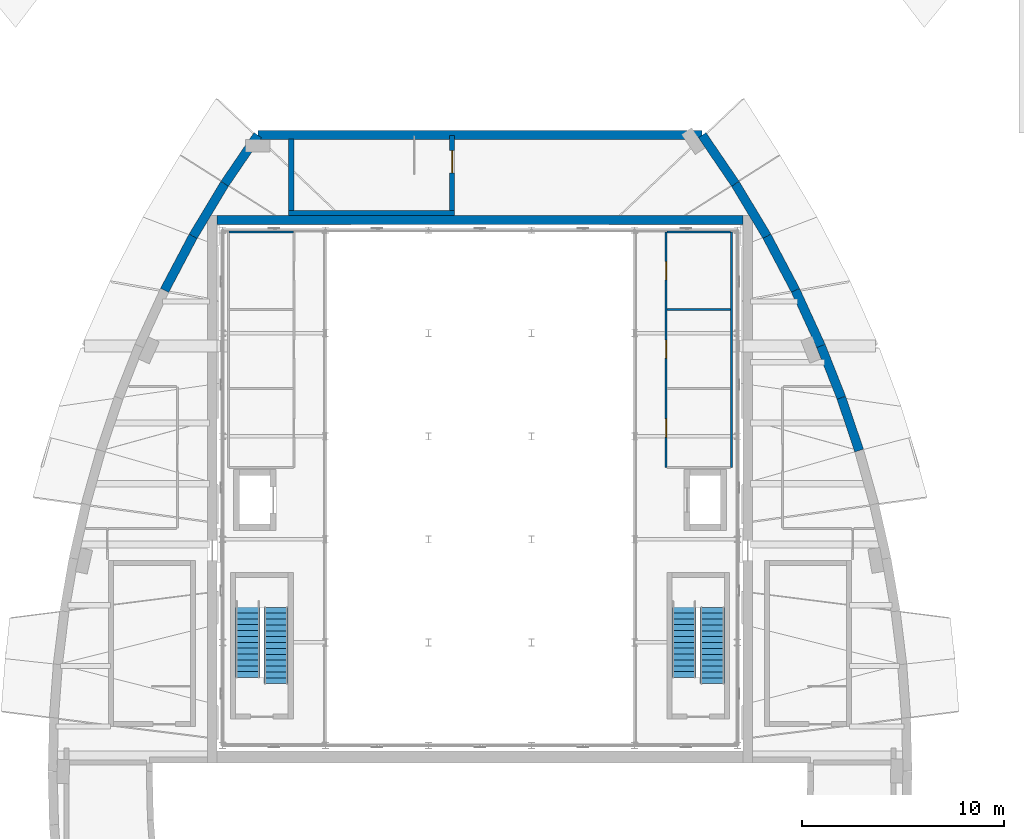
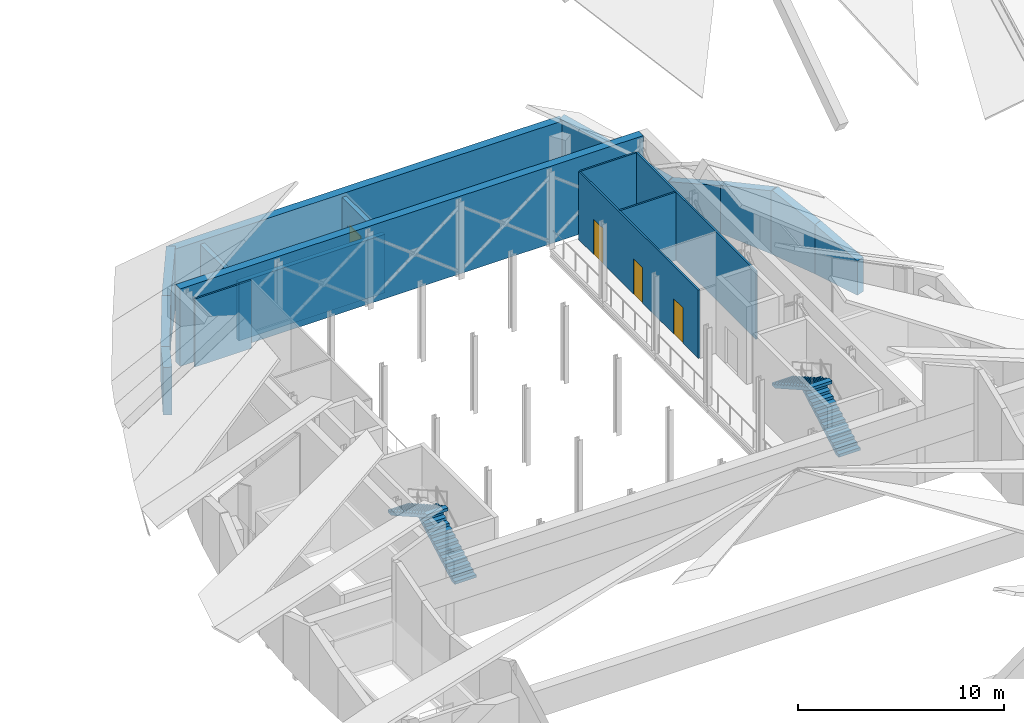
# One storey, part 16 of 17: 19 walls, 4 doors, 4 stair flights, 4 openings, 2 elements without a shape of their own.
"""IFC4 building model written with IfcOpenShell, lengths in metres."""

from ifc_helpers import new_model, si_unit, direction, frame, frame_2d, origin, place, context, subcontext, project, spatial, polyline, rectangle, outline, extrude, material, layer, layer_set, type_object, element, fill, aggregate, save


model = new_model("IFC4")

# Units and contexts
model_context = context("Model", 3, precision=1e-05, world=origin(), true_north=direction((0.0, 1.0)))
body_context = subcontext(model_context, "Body", "Model", "MODEL_VIEW")
ifc_project = project(units=[si_unit("LENGTHUNIT", "METRE"), si_unit("AREAUNIT", "SQUARE_METRE"), si_unit("VOLUMEUNIT", "CUBIC_METRE"), si_unit("PLANEANGLEUNIT", "RADIAN"), si_unit("MASSUNIT", "GRAM", prefix="KILO")], contexts=[model_context])

# Site, building, storey
site_placement = place(None, origin())
site = spatial("IfcSite", under=ifc_project, at=site_placement, CompositionType="ELEMENT")
building_placement = place(site_placement, origin())
building = spatial("IfcBuilding", under=site, at=building_placement, Name="Tide Square Theatres", CompositionType="ELEMENT")
storey_placement = place(building_placement, frame((0.0, 0.0, 14.800048828125)))
storey = spatial("IfcBuildingStorey", under=building, at=storey_placement, Name="L03", CompositionType="ELEMENT", Elevation=14.800048828125)

# Walls
ifc_material_1 = material(Name="Gypsum board on steel studs", Category="steel")
ifc_layer_1 = layer(ifc_material_1, 0.10009765625)
ifc_layer_set_1 = layer_set([ifc_layer_1], Name="Gypsum board on steel studs")
wall_type_1 = type_object("IfcWallType", Name="Partition 100 thick", PredefinedType="PARTITIONING", material=ifc_layer_set_1)
wall_1_placement = place(storey_placement, frame((71.60595703125, 81.64404296875, 0.0), z_axis=(0.0, 0.0, 1.0), x_axis=(1.0, 0.0, 0.0)))
element("IfcWall", 1, at=wall_1_placement, inside=storey, type_object=wall_type_1, Name="Partition", PredefinedType="PARTITIONING", context=body_context, shape_type="SweptSolid", body=[
    extrude(rectangle(XDim=3.169921875, YDim=0.10009765625, at=frame_2d((1.5849609375, 0.0))), origin(), (0.0, 0.0, 1.0), 4.0400390625),
])
wall_2_placement = place(storey_placement, frame((96.424072265625, 70.0, 0.0), z_axis=(0.0, 0.0, 1.0), x_axis=(0.0, 1.0, 0.0)))
element("IfcWall", 2, at=wall_2_placement, inside=storey, type_object=wall_type_1, Name="Partition", PredefinedType="PARTITIONING", context=body_context, shape_type="SweptSolid", body=[
    extrude(rectangle(XDim=11.64404296875, YDim=0.10009765625, at=frame_2d((5.822021484375, 0.0))), origin(), (0.0, 0.0, 1.0), 4.0400390625),
])

# Wall, openings, doors
wall_3_placement = place(storey_placement, frame((93.194091796875, 70.0, 0.0), z_axis=(0.0, 0.0, 1.0), x_axis=(0.0, 1.0, 0.0)))
wall_3 = element("IfcWall", 3, at=wall_3_placement, inside=storey, type_object=wall_type_1, Name="Partition", PredefinedType="PARTITIONING", context=body_context, shape_type="SweptSolid", body=[
    extrude(rectangle(XDim=11.64404296875, YDim=0.10009765625, at=frame_2d((5.822021484375, 0.0))), origin(), (0.0, 0.0, 1.0), 4.0400390625),
])
opening_1_placement = place(wall_3_placement, frame((1.5, 0.0, 0.0)))
opening_1 = element("IfcOpeningElement", 4, at=opening_1_placement, cuts=wall_3, Name="Opening T03-06", PredefinedType="OPENING", context=body_context, shape_type="SweptSolid", body=[
    extrude(rectangle(XDim=0.89990234375, YDim=2.10009765625, at=frame_2d((0.449951171875, 1.050048828125))), frame((0.0, 0.06005859375, 0.0), z_axis=(0.0, -1.0, 0.0), x_axis=(1.0, 0.0, 0.0)), (0.0, 0.0, 1.0), 0.1201171875),
])
opening_2_placement = place(wall_3_placement, frame((5.39990234375, 0.0, 0.0)))
opening_2 = element("IfcOpeningElement", 5, at=opening_2_placement, cuts=wall_3, Name="Opening T03-07", PredefinedType="OPENING", context=body_context, shape_type="SweptSolid", body=[
    extrude(rectangle(XDim=0.89990234375, YDim=2.10009765625, at=frame_2d((0.449951171875, 1.050048828125))), frame((0.0, 0.06005859375, 0.0), z_axis=(0.0, -1.0, 0.0), x_axis=(1.0, 0.0, 0.0)), (0.0, 0.0, 1.0), 0.1201171875),
])
opening_3_placement = place(wall_3_placement, frame((9.27197265625, 0.0, 0.0)))
opening_3 = element("IfcOpeningElement", 6, at=opening_3_placement, cuts=wall_3, Name="Opening T03-08", PredefinedType="OPENING", context=body_context, shape_type="SweptSolid", body=[
    extrude(rectangle(XDim=0.89990234375, YDim=2.10009765625, at=frame_2d((0.449951171875, 1.050048828125))), frame((0.0, 0.06005859375, 0.0), z_axis=(0.0, -1.0, 0.0), x_axis=(1.0, 0.0, 0.0)), (0.0, 0.0, 1.0), 0.1201171875),
])
ifc_material_2 = material(Name="Hardwood timber", Category="wood")
door_type_1 = type_object("IfcDoorType", Name="Door 900 x 2100 single leaf", OperationType="NOTDEFINED", PredefinedType="DOOR", material=ifc_material_2)
door_1_placement = place(opening_1_placement, frame((0.89990234375, 0.0, 0.0), z_axis=(0.0, 0.0, 1.0), x_axis=(-1.0, 0.0, 0.0)))
door_1 = element("IfcDoor", 7, at=door_1_placement, inside=storey, type_object=door_type_1, Name="Winch Control Room door", OperationType="SINGLE_SWING_LEFT", OverallHeight=2.10009765625, OverallWidth=0.89990234375, PredefinedType="DOOR", context=body_context, shape_type="SweptSolid", body=[
    extrude(rectangle(XDim=0.89990234375, YDim=2.10009765625, at=frame_2d((0.449951171875, 1.050048828125))), frame((0.0, 0.02490234375, 0.0), z_axis=(0.0, -1.0, 0.0), x_axis=(1.0, 0.0, 0.0)), (0.0, 0.0, 1.0), 0.050048828125),
])
fill(opening_1, door_1)
door_2_placement = place(opening_2_placement, frame((0.89990234375, 0.0, 0.0), z_axis=(0.0, 0.0, 1.0), x_axis=(-1.0, 0.0, 0.0)))
door_2 = element("IfcDoor", 8, at=door_2_placement, inside=storey, type_object=door_type_1, Name="Prop Preparation Room door", OperationType="SINGLE_SWING_LEFT", OverallHeight=2.10009765625, OverallWidth=0.89990234375, PredefinedType="DOOR", context=body_context, shape_type="SweptSolid", body=[
    extrude(rectangle(XDim=0.89990234375, YDim=2.10009765625, at=frame_2d((0.449951171875, 1.050048828125))), frame((0.0, 0.02490234375, 0.0), z_axis=(0.0, -1.0, 0.0), x_axis=(1.0, 0.0, 0.0)), (0.0, 0.0, 1.0), 0.050048828125),
])
fill(opening_2, door_2)
door_3_placement = place(opening_3_placement, frame((0.89990234375, 0.0, 0.0), z_axis=(0.0, 0.0, 1.0), x_axis=(-1.0, 0.0, 0.0)))
door_3 = element("IfcDoor", 9, at=door_3_placement, inside=storey, type_object=door_type_1, Name="Flymen's Locker Room door", OperationType="SINGLE_SWING_LEFT", OverallHeight=2.10009765625, OverallWidth=0.89990234375, PredefinedType="DOOR", context=body_context, shape_type="SweptSolid", body=[
    extrude(rectangle(XDim=0.89990234375, YDim=2.10009765625, at=frame_2d((0.449951171875, 1.050048828125))), frame((0.0, 0.02490234375, 0.0), z_axis=(0.0, -1.0, 0.0), x_axis=(1.0, 0.0, 0.0)), (0.0, 0.0, 1.0), 0.050048828125),
])
fill(opening_3, door_3)

# Walls
for number, where, z_axis, x_axis, name in (
    (10, (96.384033203125, 77.800048828125, 0.0), (0.0, 0.0, 1.0), (-1.0, 0.0, 0.0), "Partition"),
    (11, (96.384033203125, 81.64404296875, 0.0), (0.0, 0.0, 1.0), (-1.0, 0.0, 0.0), "Partition"),
):
    element("IfcWall", number, at=place(storey_placement, frame(where, z_axis=z_axis, x_axis=x_axis)), inside=storey, type_object=wall_type_1, Name=name, PredefinedType="PARTITIONING", context=body_context, shape_type="SweptSolid", body=[
        extrude(rectangle(XDim=3.159912109375, YDim=0.10009765625, at=frame_2d((1.580078125, 0.0))), origin(), (0.0, 0.0, 1.0), 4.0400390625),
    ])
ifc_material_3 = material(Name="Concrete C40", Category="concrete")
ifc_layer_2 = layer(ifc_material_3, 0.449951171875)
ifc_layer_set_2 = layer_set([ifc_layer_2], Name="Concrete C40")
wall_type_2 = type_object("IfcWallType", Name="RC curved wall 450 thick", PredefinedType="SOLIDWALL", material=ifc_layer_set_2)
wall_4_placement = place(storey_placement, frame((102.724609375, 70.838134765625, 0.0), z_axis=(0.0, 0.0, 1.0), x_axis=(-0.318887614688, 0.947792534893, 0.0)))
element("IfcWall", 12, at=wall_4_placement, inside=storey, type_object=wall_type_2, Name="Main Theatre perimeter wall", PredefinedType="SOLIDWALL", context=body_context, shape_type="SweptSolid", body=[
    extrude(outline(polyline([(0.0, 0.0), (2.75244140625, 0.0), (2.752197265625, 2.927734375), (2.638916015625, 2.89404296875), (0.15185546875, 2.080810546875), (0.0, 2.031005859375), (0.0, 0.0)])), frame((0.0, 0.22509765625, 0.0), z_axis=(0.0, -1.0, 0.0), x_axis=(1.0, 0.0, 0.0)), (0.0, 0.0, 1.0), 0.449951171875),
])
wall_5_placement = place(storey_placement, frame((101.846923828125, 73.44677734375, 0.0), z_axis=(0.0, 0.0, 1.0), x_axis=(-0.366920100653, 0.930252460215, 0.0)))
element("IfcWall", 13, at=wall_5_placement, inside=storey, type_object=wall_type_2, Name="Main Theatre perimeter wall", PredefinedType="SOLIDWALL", context=body_context, shape_type="SweptSolid", body=[
    extrude(outline(polyline([(0.0, 0.0), (2.751953125, 0.0), (2.751953125, 3.74169921875), (2.73583984375, 3.747314453125), (2.647216796875, 3.797119140625), (2.558349609375, 3.76806640625), (0.12841796875, 2.973388671875), (0.0, 2.931396484375), (0.0, 0.0)])), frame((0.0, 0.22509765625, 0.0), z_axis=(0.0, -1.0, 0.0), x_axis=(1.0, 0.0, 0.0)), (0.0, 0.0, 1.0), 0.449951171875),
])
wall_6_placement = place(storey_placement, frame((100.837158203125, 76.0068359375, 0.0), z_axis=(0.0, 0.0, 1.0), x_axis=(-0.416407051835, 0.909178292296, 0.0)))
element("IfcWall", 14, at=wall_6_placement, inside=storey, type_object=wall_type_2, Name="Main Theatre perimeter wall", PredefinedType="SOLIDWALL", context=body_context, shape_type="SweptSolid", body=[
    extrude(outline(polyline([(0.0, 0.0), (3.021240234375, 0.0), (3.021240234375, 2.8310546875), (2.962646484375, 2.85546875), (0.21044921875, 3.67529296875), (0.107421875, 3.7060546875), (0.0, 3.73779296875), (0.0, 0.0)])), frame((0.0, 0.22509765625, 0.0), z_axis=(0.0, -1.0, 0.0), x_axis=(1.0, 0.0, 0.0)), (0.0, 0.0, 1.0), 0.449951171875),
])
wall_7_placement = place(storey_placement, frame((99.5791015625, 78.753662109375, 0.0), z_axis=(0.0, 0.0, 1.0), x_axis=(-0.466728769487, 0.884400506407, 0.0)))
element("IfcWall", 15, at=wall_7_placement, inside=storey, type_object=wall_type_2, Name="Main Theatre perimeter wall", PredefinedType="SOLIDWALL", context=body_context, shape_type="SweptSolid", body=[
    extrude(outline(polyline([(0.0, 0.0), (3.020751953125, 0.0), (3.02099609375, 1.9521484375), (2.993896484375, 1.9453125), (0.072265625, 2.805419921875), (0.0, 2.826904296875), (0.0, 0.0)])), frame((0.0, 0.22509765625, 0.0), z_axis=(0.0, -1.0, 0.0), x_axis=(1.0, 0.0, 0.0)), (0.0, 0.0, 1.0), 0.449951171875),
])
wall_8_placement = place(storey_placement, frame((98.169189453125, 81.42529296875, 0.0), z_axis=(0.0, 0.0, 1.0), x_axis=(-0.515636119523, 0.856807675177, 0.0)))
element("IfcWall", 16, at=wall_8_placement, inside=storey, type_object=wall_type_2, Name="Main Theatre perimeter wall", PredefinedType="SOLIDWALL", context=body_context, shape_type="SweptSolid", body=[
    extrude(outline(polyline([(0.0, 0.0), (3.021240234375, 0.0), (3.02099609375, 2.855712890625), (0.0, 1.955810546875), (0.0, 0.0)])), frame((0.0, 0.22509765625, 0.0), z_axis=(0.0, -1.0, 0.0), x_axis=(1.0, 0.0, 0.0)), (0.0, 0.0, 1.0), 0.449951171875),
])
wall_9_placement = place(storey_placement, frame((96.611328125, 84.013916015625, 0.0), z_axis=(0.0, 0.0, 1.0), x_axis=(-0.5629642644, 0.826481238147, 0.0)))
element("IfcWall", 17, at=wall_9_placement, inside=storey, type_object=wall_type_2, Name="Main Theatre perimeter wall", PredefinedType="SOLIDWALL", context=body_context, shape_type="SweptSolid", body=[
    extrude(outline(polyline([(0.0, 0.0), (2.908203125, 0.0), (2.908203125, 3.760986328125), (2.832763671875, 3.737548828125), (2.759765625, 3.715087890625), (0.0, 2.861083984375), (0.0, 0.0)])), frame((0.0, 0.22509765625, 0.0), z_axis=(0.0, -1.0, 0.0), x_axis=(1.0, 0.0, 0.0)), (0.0, 0.0, 1.0), 0.449951171875),
])
wall_10_placement = place(storey_placement, frame((94.97412109375, 86.41748046875, 0.0), z_axis=(0.0, 0.0, 1.0), x_axis=(-1.0, 0.0, 0.0)))
element("IfcWall", 18, at=wall_10_placement, inside=storey, type_object=wall_type_2, Name="Main Theatre perimeter wall", PredefinedType="SOLIDWALL", context=body_context, shape_type="SweptSolid", body=[
    extrude(outline(polyline([(0.0, 0.0), (21.9482421875, 0.0), (21.947998046875, 3.67138671875), (21.87158203125, 3.67138671875), (21.787109375, 3.67138671875), (21.550048828125, 3.67138671875), (0.39794921875, 3.67138671875), (0.16064453125, 3.67138671875), (0.076416015625, 3.67138671875), (0.0, 3.67138671875), (0.0, 0.0)])), frame((0.0, 0.22509765625, 0.0), z_axis=(0.0, -1.0, 0.0), x_axis=(1.0, 0.0, 0.0)), (0.0, 0.0, 1.0), 0.449951171875),
])
wall_11_placement = place(storey_placement, frame((73.02587890625, 86.41748046875, 0.0), z_axis=(0.0, 0.0, 1.0), x_axis=(-0.5629642644, -0.826481238147, 0.0)))
element("IfcWall", 19, at=wall_11_placement, inside=storey, type_object=wall_type_2, Name="Main Theatre perimeter wall", PredefinedType="SOLIDWALL", context=body_context, shape_type="SweptSolid", body=[
    extrude(outline(polyline([(0.0, 0.0), (2.908203125, 0.0), (2.908203125, 2.861083984375), (0.148681640625, 3.715087890625), (0.075439453125, 3.737548828125), (0.0, 3.760986328125), (0.0, 0.0)])), frame((0.0, 0.22509765625, 0.0), z_axis=(0.0, -1.0, 0.0), x_axis=(1.0, 0.0, 0.0)), (0.0, 0.0, 1.0), 0.449951171875),
])
wall_12_placement = place(storey_placement, frame((71.388671875, 84.013916015625, 0.0), z_axis=(0.0, 0.0, 1.0), x_axis=(-0.515636119523, -0.856807675177, 0.0)))
element("IfcWall", 20, at=wall_12_placement, inside=storey, type_object=wall_type_2, Name="Main Theatre perimeter wall", PredefinedType="SOLIDWALL", context=body_context, shape_type="SweptSolid", body=[
    extrude(outline(polyline([(0.0, 0.0), (3.021240234375, 0.0), (3.02099609375, 1.955810546875), (2.980712890625, 1.967529296875), (0.0, 2.855712890625), (0.0, 0.0)])), frame((0.0, 0.22509765625, 0.0), z_axis=(0.0, -1.0, 0.0), x_axis=(1.0, 0.0, 0.0)), (0.0, 0.0, 1.0), 0.449951171875),
])
wall_13_placement = place(storey_placement, frame((69.830810546875, 81.42529296875, 0.0), z_axis=(0.0, 0.0, 1.0), x_axis=(-0.466728769487, -0.884400506407, 0.0)))
element("IfcWall", 21, at=wall_13_placement, inside=storey, type_object=wall_type_2, Name="Main Theatre perimeter wall", PredefinedType="SOLIDWALL", context=body_context, shape_type="SweptSolid", body=[
    extrude(outline(polyline([(0.0, 0.0), (3.020751953125, 0.0), (3.02099609375, 2.826904296875), (2.948486328125, 2.805419921875), (0.0, 1.9521484375), (0.0, 0.0)])), frame((0.0, 0.22509765625, 0.0), z_axis=(0.0, -1.0, 0.0), x_axis=(1.0, 0.0, 0.0)), (0.0, 0.0, 1.0), 0.449951171875),
])
wall_14_placement = place(storey_placement, frame((71.0, 82.22509765625, 0.0), z_axis=(0.0, 0.0, 1.0), x_axis=(1.0, 0.0, 0.0)))
element("IfcWall", 22, at=wall_14_placement, inside=storey, type_object=wall_type_2, Name="Stage house rear wall", PredefinedType="SOLIDWALL", context=body_context, shape_type="SweptSolid", body=[
    extrude(rectangle(XDim=26.0, YDim=0.449951171875, at=frame_2d((13.0, 0.0))), origin(), (0.0, 0.0, 1.0), 4.599853515625),
])
ifc_material_4 = material(Name="Concrete C40", Category="concrete")
ifc_layer_3 = layer(ifc_material_4, 0.25)
ifc_layer_set_3 = layer_set([ifc_layer_3], Name="Concrete C40")
wall_type_3 = type_object("IfcWallType", Name="RC shear wall 250 thick", PredefinedType="SHEAR", material=ifc_layer_set_3)
wall_15_placement = place(storey_placement, frame((74.550048828125, 82.56494140625, 0.0), z_axis=(0.0, 0.0, 1.0), x_axis=(1.0, 0.0, 0.0)))
element("IfcWall", 23, at=wall_15_placement, inside=storey, type_object=wall_type_3, Name="Main Theatre North Stair shaft wall", PredefinedType="SHEAR", context=body_context, shape_type="SweptSolid", body=[
    extrude(rectangle(XDim=8.199951171875, YDim=0.25, at=frame_2d((4.10009765625, 0.0))), origin(), (0.0, 0.0, 1.0), 3.46337890625),
])
wall_16_placement = place(storey_placement, frame((74.675048828125, 82.68994140625, 0.0), z_axis=(0.0, 0.0, 1.0), x_axis=(0.0, 1.0, 0.0)))
element("IfcWall", 24, at=wall_16_placement, inside=storey, type_object=wall_type_3, Name="Main Theatre North Stair shaft wall", PredefinedType="SHEAR", context=body_context, shape_type="SweptSolid", body=[
    extrude(rectangle(XDim=3.550048828125, YDim=0.25, at=frame_2d((1.77490234375, 0.0))), origin(), (0.0, 0.0, 1.0), 3.46337890625),
])

# Wall, opening, door
wall_17_placement = place(storey_placement, frame((82.625, 86.39990234375, 0.0), z_axis=(0.0, 0.0, 1.0), x_axis=(0.0, -1.0, 0.0)))
wall_17 = element("IfcWall", 25, at=wall_17_placement, inside=storey, type_object=wall_type_3, Name="Main Theatre North Stair shaft wall", PredefinedType="SHEAR", context=body_context, shape_type="SweptSolid", body=[
    extrude(rectangle(XDim=3.7099609375, YDim=0.25, at=frame_2d((1.85498046875, 0.0))), origin(), (0.0, 0.0, 1.0), 3.46337890625),
])
opening_4_placement = place(wall_17_placement, frame((0.75, 0.0, 0.0)))
opening_4 = element("IfcOpeningElement", 26, at=opening_4_placement, cuts=wall_17, Name="Opening M03-05", PredefinedType="OPENING", context=body_context, shape_type="SweptSolid", body=[
    extrude(rectangle(XDim=1.10009765625, YDim=2.10009765625, at=frame_2d((0.550048828125, 1.050048828125))), frame((0.0, 0.135009765625, 0.0), z_axis=(0.0, -1.0, 0.0), x_axis=(1.0, 0.0, 0.0)), (0.0, 0.0, 1.0), 0.27001953125),
])
ifc_material_5 = material(Name="Painted steel", Category="steel")
door_type_2 = type_object("IfcDoorType", Name="Door 1100 x 2100 single leaf", OperationType="NOTDEFINED", PredefinedType="DOOR", material=ifc_material_5)
door_4_placement = place(opening_4_placement, origin())
door_4 = element("IfcDoor", 27, at=door_4_placement, inside=storey, type_object=door_type_2, Name="Main Theatre North Stair stair door", OperationType="SINGLE_SWING_RIGHT", OverallHeight=2.10009765625, OverallWidth=1.10009765625, PredefinedType="DOOR", context=body_context, shape_type="SweptSolid", body=[
    extrude(rectangle(XDim=1.10009765625, YDim=2.10009765625, at=frame_2d((0.550048828125, 1.050048828125))), frame((0.0, 0.02490234375, 0.0), z_axis=(0.0, -1.0, 0.0), x_axis=(1.0, 0.0, 0.0)), (0.0, 0.0, 1.0), 0.050048828125),
])
fill(opening_4, door_4)

# Stair, stair flights
ifc_material_6 = material(Name="Concrete C35", Category="concrete")
stair_type = type_object("IfcStairType", Name="Stair half turn 1200 wide, 28 risers, rise 4600", PredefinedType="HALF_TURN_STAIR", material=ifc_material_6)
stair_1_placement = place(storey_placement, origin())
stair_1 = element("IfcStair", 28, at=stair_1_placement, inside=storey, type_object=stair_type, Name="Fly Tower west stair", PredefinedType="HALF_TURN_STAIR")
ifc_material_7 = material(Name="Concrete C35", Category="concrete")
stair_flight_type = type_object("IfcStairFlightType", Name="Flight 1200 wide 14 risers rise 4600", PredefinedType="STRAIGHT", material=ifc_material_7)
stair_flight_1_placement = place(storey_placement, frame((73.926025390625, 59.325927734375, 0.0), z_axis=(0.0, 0.0, 1.0), x_axis=(0.0, 1.0, 0.0)))
stair_flight_1 = element("IfcStairFlight", 29, at=stair_flight_1_placement, type_object=stair_flight_type, Name="ST-1200-4600 flight 1", NumberOfRisers=14, NumberOfTreads=13, PredefinedType="STRAIGHT", RiserHeight=0.164285714, TreadLength=0.29, context=body_context, shape_type="SweptSolid", body=[
    extrude(outline(polyline([(0.0, 0.0), (0.0, 0.164306640625), (0.2900390625, 0.164306640625), (0.2900390625, 0.32861328125), (0.580078125, 0.32861328125), (0.580078125, 0.492919921875), (0.8701171875, 0.492919921875), (0.8701171875, 0.6572265625), (1.159912109375, 0.6572265625), (1.159912109375, 0.821533203125), (1.449951171875, 0.821533203125), (1.449951171875, 0.985595703125), (1.739990234375, 0.985595703125), (1.739990234375, 1.14990234375), (2.030029296875, 1.14990234375), (2.030029296875, 1.314208984375), (2.320068359375, 1.314208984375), (2.320068359375, 1.478515625), (2.610107421875, 1.478515625), (2.610107421875, 1.642822265625), (2.89990234375, 1.642822265625), (2.89990234375, 1.80712890625), (3.18994140625, 1.80712890625), (3.18994140625, 1.971435546875), (3.47998046875, 1.971435546875), (3.47998046875, 2.1357421875), (3.77001953125, 2.1357421875), (3.77001953125, 2.300048828125), (3.77001953125, 1.96337890625), (0.30419921875, 0.0), (0.0, 0.0)])), frame((0.0, 0.60009765625, 0.0), z_axis=(0.0, -1.0, 0.0), x_axis=(1.0, 0.0, 0.0)), (0.0, 0.0, 1.0), 1.199951171875),
])
stair_flight_2_placement = place(storey_placement, frame((72.52587890625, 63.400390625, 2.300048828125), z_axis=(0.0, 0.0, 1.0), x_axis=(0.0, -1.0, 0.0)))
stair_flight_2 = element("IfcStairFlight", 30, at=stair_flight_2_placement, type_object=stair_flight_type, Name="ST-1200-4600 flight 2", NumberOfRisers=14, NumberOfTreads=13, PredefinedType="STRAIGHT", RiserHeight=0.164285714, TreadLength=0.29, context=body_context, shape_type="SweptSolid", body=[
    extrude(outline(polyline([(0.0, 0.0), (0.0, 0.164306640625), (0.2900390625, 0.164306640625), (0.2900390625, 0.32861328125), (0.580078125, 0.32861328125), (0.580078125, 0.492919921875), (0.8701171875, 0.492919921875), (0.8701171875, 0.6572265625), (1.159912109375, 0.6572265625), (1.159912109375, 0.821533203125), (1.449951171875, 0.821533203125), (1.449951171875, 0.985595703125), (1.739990234375, 0.985595703125), (1.739990234375, 1.14990234375), (2.030029296875, 1.14990234375), (2.030029296875, 1.314208984375), (2.320068359375, 1.314208984375), (2.320068359375, 1.478515625), (2.610107421875, 1.478515625), (2.610107421875, 1.642822265625), (2.89990234375, 1.642822265625), (2.89990234375, 1.80712890625), (3.18994140625, 1.80712890625), (3.18994140625, 1.971435546875), (3.47998046875, 1.971435546875), (3.47998046875, 2.1357421875), (3.77001953125, 2.1357421875), (3.77001953125, 2.300048828125), (3.77001953125, 1.96337890625), (0.30419921875, 0.0), (0.0, 0.0)])), frame((0.0, 0.60009765625, 0.0), z_axis=(0.0, -1.0, 0.0), x_axis=(1.0, 0.0, 0.0)), (0.0, 0.0, 1.0), 1.199951171875),
])
aggregate(stair_1, [stair_flight_1, stair_flight_2])

stair_2_placement = place(storey_placement, origin())
stair_2 = element("IfcStair", 31, at=stair_2_placement, inside=storey, type_object=stair_type, Name="Fly Tower east stair", PredefinedType="HALF_TURN_STAIR")
stair_flight_3_placement = place(storey_placement, frame((95.47412109375, 59.325927734375, 0.0), z_axis=(0.0, 0.0, 1.0), x_axis=(0.0, 1.0, 0.0)))
stair_flight_3 = element("IfcStairFlight", 32, at=stair_flight_3_placement, type_object=stair_flight_type, Name="ST-1200-4600 flight 1", NumberOfRisers=14, NumberOfTreads=13, PredefinedType="STRAIGHT", RiserHeight=0.164285714, TreadLength=0.29, context=body_context, shape_type="SweptSolid", body=[
    extrude(outline(polyline([(0.0, 0.0), (0.0, 0.164306640625), (0.2900390625, 0.164306640625), (0.2900390625, 0.32861328125), (0.580078125, 0.32861328125), (0.580078125, 0.492919921875), (0.8701171875, 0.492919921875), (0.8701171875, 0.6572265625), (1.159912109375, 0.6572265625), (1.159912109375, 0.821533203125), (1.449951171875, 0.821533203125), (1.449951171875, 0.985595703125), (1.739990234375, 0.985595703125), (1.739990234375, 1.14990234375), (2.030029296875, 1.14990234375), (2.030029296875, 1.314208984375), (2.320068359375, 1.314208984375), (2.320068359375, 1.478515625), (2.610107421875, 1.478515625), (2.610107421875, 1.642822265625), (2.89990234375, 1.642822265625), (2.89990234375, 1.80712890625), (3.18994140625, 1.80712890625), (3.18994140625, 1.971435546875), (3.47998046875, 1.971435546875), (3.47998046875, 2.1357421875), (3.77001953125, 2.1357421875), (3.77001953125, 2.300048828125), (3.77001953125, 1.96337890625), (0.30419921875, 0.0), (0.0, 0.0)])), frame((0.0, 0.60009765625, 0.0), z_axis=(0.0, -1.0, 0.0), x_axis=(1.0, 0.0, 0.0)), (0.0, 0.0, 1.0), 1.199951171875),
])
stair_flight_4_placement = place(storey_placement, frame((94.073974609375, 63.400390625, 2.300048828125), z_axis=(0.0, 0.0, 1.0), x_axis=(0.0, -1.0, 0.0)))
stair_flight_4 = element("IfcStairFlight", 33, at=stair_flight_4_placement, type_object=stair_flight_type, Name="ST-1200-4600 flight 2", NumberOfRisers=14, NumberOfTreads=13, PredefinedType="STRAIGHT", RiserHeight=0.164285714, TreadLength=0.29, context=body_context, shape_type="SweptSolid", body=[
    extrude(outline(polyline([(0.0, 0.0), (0.0, 0.164306640625), (0.2900390625, 0.164306640625), (0.2900390625, 0.32861328125), (0.580078125, 0.32861328125), (0.580078125, 0.492919921875), (0.8701171875, 0.492919921875), (0.8701171875, 0.6572265625), (1.159912109375, 0.6572265625), (1.159912109375, 0.821533203125), (1.449951171875, 0.821533203125), (1.449951171875, 0.985595703125), (1.739990234375, 0.985595703125), (1.739990234375, 1.14990234375), (2.030029296875, 1.14990234375), (2.030029296875, 1.314208984375), (2.320068359375, 1.314208984375), (2.320068359375, 1.478515625), (2.610107421875, 1.478515625), (2.610107421875, 1.642822265625), (2.89990234375, 1.642822265625), (2.89990234375, 1.80712890625), (3.18994140625, 1.80712890625), (3.18994140625, 1.971435546875), (3.47998046875, 1.971435546875), (3.47998046875, 2.1357421875), (3.77001953125, 2.1357421875), (3.77001953125, 2.300048828125), (3.77001953125, 1.96337890625), (0.30419921875, 0.0), (0.0, 0.0)])), frame((0.0, 0.60009765625, 0.0), z_axis=(0.0, -1.0, 0.0), x_axis=(1.0, 0.0, 0.0)), (0.0, 0.0, 1.0), 1.199951171875),
])
aggregate(stair_2, [stair_flight_3, stair_flight_4])

save(model, "model.ifc")
